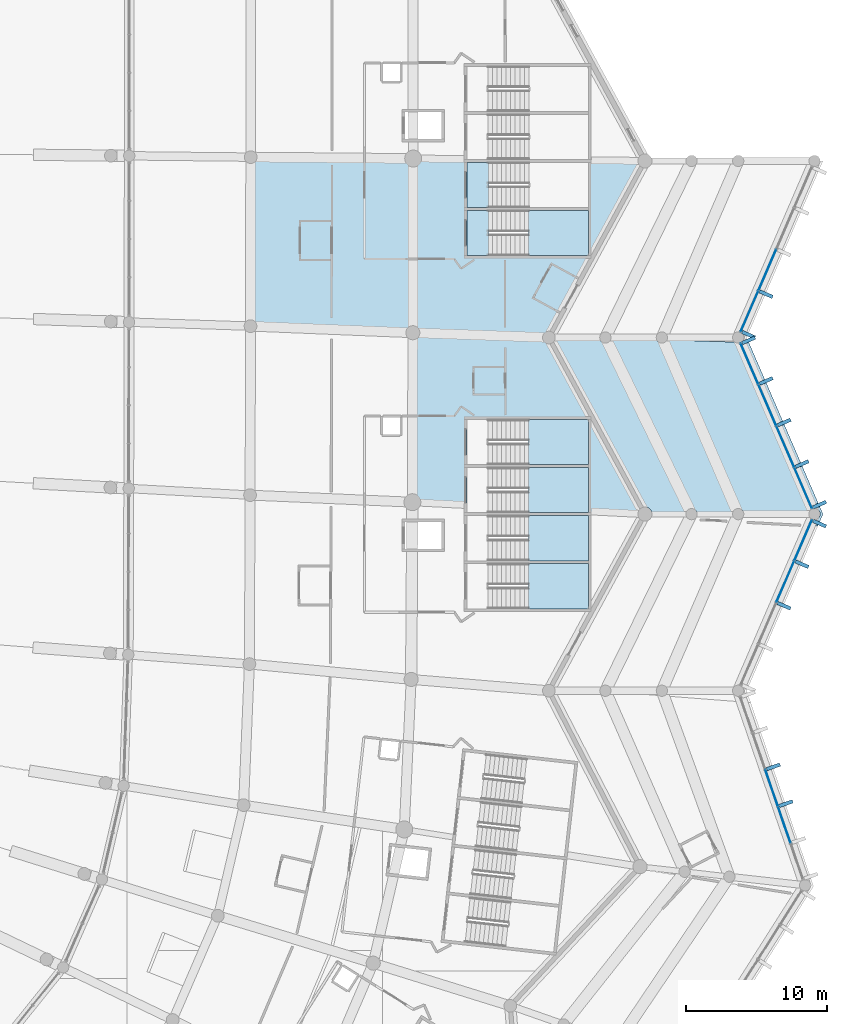
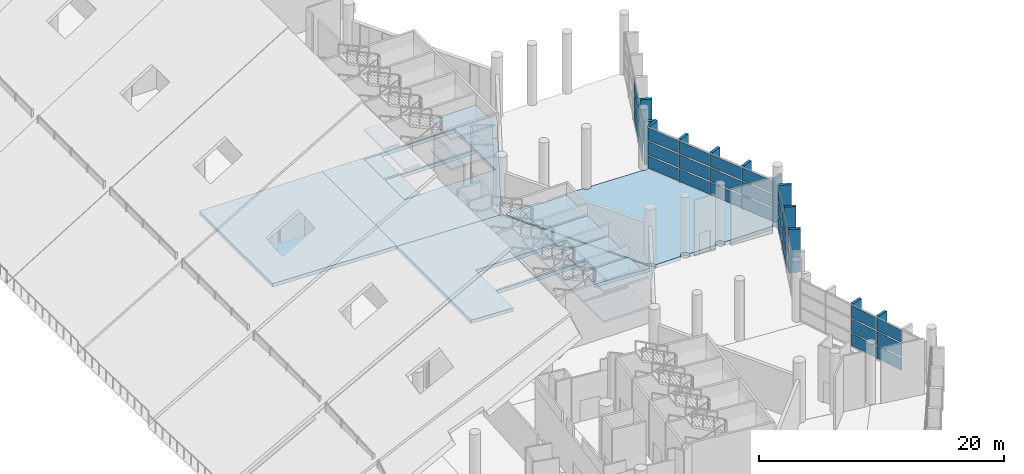
# One storey, part 115 of 249: 42 plates, 18 slabs, 10 elements without a shape of their own.
"""IFC4 building model written with IfcOpenShell, lengths in metres."""

from ifc_helpers import new_model, si_unit, direction, frame, origin, origin_2d, place, context, subcontext, project, spatial, polyline, rectangle, outline, extrude, material, layer, layer_set, type_object, element, aggregate, save


model = new_model("IFC4")

# Units and contexts
model_context = context("Model", 3, precision=1e-05, world=origin(), true_north=direction((0.0, 1.0)))
body_context = subcontext(model_context, "Body", "Model", "MODEL_VIEW")
ifc_project = project(units=[si_unit("LENGTHUNIT", "METRE"), si_unit("AREAUNIT", "SQUARE_METRE"), si_unit("VOLUMEUNIT", "CUBIC_METRE"), si_unit("PLANEANGLEUNIT", "RADIAN"), si_unit("MASSUNIT", "GRAM", prefix="KILO")], contexts=[model_context])

# Site, building, storey
site_placement = place(None, origin())
site = spatial("IfcSite", under=ifc_project, at=site_placement, CompositionType="ELEMENT")
building_placement = place(site_placement, origin())
building = spatial("IfcBuilding", under=site, at=building_placement, Name="Meseta Stadium", CompositionType="ELEMENT")
storey_placement = place(building_placement, frame((0.0, 0.0, 12.0)))
storey = spatial("IfcBuildingStorey", under=building, at=storey_placement, Name="L02", CompositionType="ELEMENT", Elevation=12.0)

# Slabs
ifc_material_1 = material(Name="Concrete C40/50", Category="concrete")
ifc_layer_1 = layer(ifc_material_1, 0.35009765625)
ifc_layer_set_1 = layer_set([ifc_layer_1], Name="Floor slab 350")
slab_type_1 = type_object("IfcSlabType", Name="Floor slab 350", PredefinedType="FLOOR", material=ifc_layer_set_1)
slab_1_placement = place(storey_placement, frame((0.0, 0.0, -0.35009765625)))
element("IfcSlab", 1, at=slab_1_placement, inside=storey, type_object=slab_type_1, Name="Floor slab L02 sector 00 panel 14", PredefinedType="FLOOR", context=body_context, shape_type="SweptSolid", body=[
    extrude(outline(polyline([(84.99755859375, -6.107421875), (73.498046875, -5.981201171875), (73.482421875, -17.943603515625), (84.973388671875, -18.321533203125), (84.99755859375, -6.107421875)])), origin(), (0.0, 0.0, 1.0), 0.35009765625),
])
slab_2_placement = place(storey_placement, frame((0.0, 0.0, -0.35009765625)))
element("IfcSlab", 2, at=slab_2_placement, inside=storey, type_object=slab_type_1, Name="Floor slab L02 sector 00 panel 15", PredefinedType="FLOOR", context=body_context, shape_type="SweptSolid", body=[
    extrude(outline(polyline([(84.97314453125, -18.41064453125), (94.60009765625, -18.75), (101.3798828125, -6.287109375), (88.8798828125, -6.14990234375), (88.800048828125, -6.14990234375), (88.800048828125, -6.149169921875), (84.99755859375, -6.107421875), (84.97314453125, -18.41064453125)]), holes=[polyline([(88.800048828125, -9.75), (97.39990234375, -9.75), (97.39990234375, -12.949951171875), (88.800048828125, -12.949951171875), (88.800048828125, -9.75)]), polyline([(97.39990234375, -6.35009765625), (97.39990234375, -9.550048828125), (88.800048828125, -9.550048828125), (88.800048828125, -6.35009765625), (97.39990234375, -6.35009765625)])]), origin(), (0.0, 0.0, 1.0), 0.35009765625),
])
slab_3_placement = place(storey_placement, frame((0.0, 0.0, -0.35009765625)))
element("IfcSlab", 3, at=slab_3_placement, inside=storey, type_object=slab_type_1, Name="Floor slab L02 sector 00 panel 16", PredefinedType="FLOOR", context=body_context, shape_type="SweptSolid", body=[
    extrude(outline(polyline([(96.176025390625, -31.14990234375), (101.301513671875, -31.430908203125), (101.39990234375, -31.25), (94.60009765625, -18.75), (84.97314453125, -18.41064453125), (84.939697265625, -30.533935546875), (88.800048828125, -30.74560546875), (88.800048828125, -27.949951171875), (97.39990234375, -27.949951171875), (97.39990234375, -31.14990234375), (96.176025390625, -31.14990234375)]), holes=[polyline([(97.39990234375, -27.75), (88.800048828125, -27.75), (88.800048828125, -24.550048828125), (97.39990234375, -24.550048828125), (97.39990234375, -27.75)])]), origin(), (0.0, 0.0, 1.0), 0.35009765625),
])
slab_4_placement = place(storey_placement, frame((0.0, 0.0, -0.35009765625)))
element("IfcSlab", 4, at=slab_4_placement, inside=storey, type_object=slab_type_1, Name="Ring floor slab L02 8 part 2 panel 04", PredefinedType="FLOOR", context=body_context, shape_type="SweptSolid", body=[
    extrude(outline(polyline([(98.210205078125, -18.8544921875), (98.196533203125, -18.75), (95.053955078125, -18.75), (95.038330078125, -18.867431640625), (94.9931640625, -18.976806640625), (94.935302734375, -19.05224609375), (101.30322265625, -30.75830078125), (101.39990234375, -30.74560546875), (101.530517578125, -30.762939453125), (101.652099609375, -30.813232421875), (101.756591796875, -30.893310546875), (101.836669921875, -30.997802734375), (101.88720703125, -31.119384765625), (101.904296875, -31.25), (104.29638671875, -31.25), (104.310302734375, -31.1455078125), (104.3505859375, -31.04833984375), (104.414794921875, -30.964599609375), (104.498291015625, -30.900634765625), (104.595703125, -30.8603515625), (104.699951171875, -30.846435546875), (104.804443359375, -30.8603515625), (104.901611328125, -30.900634765625), (104.9853515625, -30.964599609375), (105.04931640625, -31.04833984375), (105.089599609375, -31.1455078125), (105.103515625, -31.25), (107.596435546875, -31.25), (107.6103515625, -31.1455078125), (107.650634765625, -31.04833984375), (107.714599609375, -30.964599609375), (107.79833984375, -30.900634765625), (107.8955078125, -30.8603515625), (108.0, -30.846435546875), (108.1044921875, -30.8603515625), (108.20166015625, -30.900634765625), (108.285400390625, -30.964599609375), (108.349365234375, -31.04833984375), (108.3896484375, -31.1455078125), (108.403564453125, -31.25), (112.99658203125, -31.25), (113.01025390625, -31.1455078125), (113.050537109375, -31.04833984375), (113.11474609375, -30.964599609375), (113.1982421875, -30.900634765625), (113.295654296875, -30.8603515625), (113.39990234375, -30.846435546875), (113.50439453125, -30.8603515625), (113.601806640625, -30.900634765625), (113.685302734375, -30.964599609375), (113.74951171875, -31.04833984375), (113.789794921875, -31.1455078125), (113.803466796875, -31.25), (113.789794921875, -31.3544921875), (113.74951171875, -31.45166015625), (113.685302734375, -31.535400390625), (113.601806640625, -31.599365234375), (113.50439453125, -31.6396484375), (113.39990234375, -31.653564453125), (113.295654296875, -31.6396484375), (113.241455078125, -31.6171875), (113.043701171875, -32.07470703125), (113.6298828125, -32.10693359375), (114.0, -31.25), (108.752685546875, -19.103759765625), (108.218994140625, -19.086181640625), (108.20166015625, -19.099365234375), (108.1044921875, -19.1396484375), (108.0, -19.153564453125), (107.8955078125, -19.1396484375), (107.79833984375, -19.099365234375), (107.761474609375, -19.071044921875), (102.96533203125, -18.913330078125), (102.949462890625, -18.95166015625), (102.88525390625, -19.035400390625), (102.8017578125, -19.099365234375), (102.704345703125, -19.1396484375), (102.60009765625, -19.153564453125), (102.49560546875, -19.1396484375), (102.398193359375, -19.099365234375), (102.314697265625, -19.035400390625), (102.25048828125, -18.95166015625), (102.224609375, -18.888916015625), (98.999267578125, -18.782958984375), (98.98974609375, -18.8544921875), (98.949462890625, -18.95166015625), (98.88525390625, -19.035400390625), (98.8017578125, -19.099365234375), (98.704345703125, -19.1396484375), (98.60009765625, -19.153564453125), (98.49560546875, -19.1396484375), (98.398193359375, -19.099365234375), (98.314697265625, -19.035400390625), (98.25048828125, -18.95166015625), (98.210205078125, -18.8544921875)])), origin(), (0.0, 0.0, 1.0), 0.35009765625),
])

# Curtain wall, plates
ifc_material_2 = material(Name="Aluminium", Category="aluminium")
ifc_layer_2 = layer(ifc_material_2, 0.199951171875)
ifc_layer_set_2 = layer_set([ifc_layer_2], Name="Ring shopfront curtain wall")
curtain_wall_type = type_object("IfcCurtainWallType", Name="Ring shopfront curtain wall", PredefinedType="NOTDEFINED", material=ifc_layer_set_2)
curtain_wall_1_placement = place(storey_placement, origin())
curtain_wall_1 = element("IfcCurtainWall", 5, at=curtain_wall_1_placement, inside=storey, type_object=curtain_wall_type, Name="Ring glazing L02 F00", PredefinedType="NOTDEFINED")
ifc_material_3 = material(Name="Glass", Category="glass")
ifc_layer_3 = layer(ifc_material_3, 0.035888671875)
ifc_layer_set_3 = layer_set([ifc_layer_3], Name="Ring CW glass panel 36")
plate_type_1 = type_object("IfcPlateType", Name="Ring CW glass panel 36", PredefinedType="CURTAIN_PANEL", material=ifc_layer_set_3)
plate_1_placement = place(storey_placement, frame((111.264892578125, -53.237548828125, 0.14990234375), z_axis=(0.0, 0.0, 1.0), x_axis=(-0.325385990532, 0.945581280042, 0.0)))
plate_1 = element("IfcPlate", 6, at=plate_1_placement, type_object=plate_type_1, Name="CWR1 panel 2.1", PredefinedType="CURTAIN_PANEL", context=body_context, shape_type="SweptSolid", body=[
    extrude(rectangle(XDim=2.6923828125, YDim=0.035888671875, at=origin_2d()), origin(), (0.0, 0.0, 1.0), 1.208251953125),
])
plate_2_placement = place(storey_placement, frame((111.264892578125, -53.237548828125, 1.50830078125), z_axis=(0.0, 0.0, 1.0), x_axis=(-0.325385990532, 0.945581280042, 0.0)))
plate_2 = element("IfcPlate", 7, at=plate_2_placement, type_object=plate_type_1, Name="CWR1 panel 2.2", PredefinedType="CURTAIN_PANEL", context=body_context, shape_type="SweptSolid", body=[
    extrude(rectangle(XDim=2.6923828125, YDim=0.035888671875, at=origin_2d()), origin(), (0.0, 0.0, 1.0), 1.283447265625),
])
plate_3_placement = place(storey_placement, frame((111.264892578125, -53.237548828125, 2.94189453125), z_axis=(0.0, 0.0, 1.0), x_axis=(-0.325385990532, 0.945581280042, 0.0)))
plate_3 = element("IfcPlate", 8, at=plate_3_placement, type_object=plate_type_1, Name="CWR1 panel 2.3", PredefinedType="CURTAIN_PANEL", context=body_context, shape_type="SweptSolid", body=[
    extrude(rectangle(XDim=2.6923828125, YDim=0.035888671875, at=origin_2d()), origin(), (0.0, 0.0, 1.0), 1.208251953125),
])
plate_4_placement = place(storey_placement, frame((110.369140625, -50.634765625, 0.14990234375), z_axis=(0.0, 0.0, 1.0), x_axis=(-0.325385990532, 0.945581280042, 0.0)))
plate_4 = element("IfcPlate", 9, at=plate_4_placement, type_object=plate_type_1, Name="CWR1 panel 3.1", PredefinedType="CURTAIN_PANEL", context=body_context, shape_type="SweptSolid", body=[
    extrude(rectangle(XDim=2.6923828125, YDim=0.035888671875, at=origin_2d()), origin(), (0.0, 0.0, 1.0), 1.208251953125),
])
plate_5_placement = place(storey_placement, frame((110.369140625, -50.634765625, 1.50830078125), z_axis=(0.0, 0.0, 1.0), x_axis=(-0.325385990532, 0.945581280042, 0.0)))
plate_5 = element("IfcPlate", 10, at=plate_5_placement, type_object=plate_type_1, Name="CWR1 panel 3.2", PredefinedType="CURTAIN_PANEL", context=body_context, shape_type="SweptSolid", body=[
    extrude(rectangle(XDim=2.6923828125, YDim=0.035888671875, at=origin_2d()), origin(), (0.0, 0.0, 1.0), 1.283447265625),
])
plate_6_placement = place(storey_placement, frame((110.369140625, -50.634765625, 2.94189453125), z_axis=(0.0, 0.0, 1.0), x_axis=(-0.325385990532, 0.945581280042, 0.0)))
plate_6 = element("IfcPlate", 11, at=plate_6_placement, type_object=plate_type_1, Name="CWR1 panel 3.3", PredefinedType="CURTAIN_PANEL", context=body_context, shape_type="SweptSolid", body=[
    extrude(rectangle(XDim=2.6923828125, YDim=0.035888671875, at=origin_2d()), origin(), (0.0, 0.0, 1.0), 1.208251953125),
])
aggregate(curtain_wall_1, [plate_1, plate_2, plate_3, plate_4, plate_5, plate_6])

curtain_wall_2_placement = place(storey_placement, origin())
curtain_wall_2 = element("IfcCurtainWall", 12, at=curtain_wall_2_placement, inside=storey, type_object=curtain_wall_type, Name="Ring glazing L02 F01", PredefinedType="NOTDEFINED")
plate_7_placement = place(storey_placement, frame((111.33544921875, -36.029296875, 0.14990234375), z_axis=(0.0, 0.0, 1.0), x_axis=(0.396580687073, 0.91799986854, 0.0)))
plate_7 = element("IfcPlate", 13, at=plate_7_placement, type_object=plate_type_1, Name="CWR1 panel 3.1", PredefinedType="CURTAIN_PANEL", context=body_context, shape_type="SweptSolid", body=[
    extrude(rectangle(XDim=3.14404296875, YDim=0.035888671875, at=origin_2d()), origin(), (0.0, 0.0, 1.0), 1.208251953125),
])
plate_8_placement = place(storey_placement, frame((111.33544921875, -36.029296875, 1.50830078125), z_axis=(0.0, 0.0, 1.0), x_axis=(0.396580687073, 0.91799986854, 0.0)))
plate_8 = element("IfcPlate", 14, at=plate_8_placement, type_object=plate_type_1, Name="CWR1 panel 3.2", PredefinedType="CURTAIN_PANEL", context=body_context, shape_type="SweptSolid", body=[
    extrude(rectangle(XDim=3.14404296875, YDim=0.035888671875, at=origin_2d()), origin(), (0.0, 0.0, 1.0), 1.283447265625),
])
plate_9_placement = place(storey_placement, frame((111.33544921875, -36.029296875, 2.94189453125), z_axis=(0.0, 0.0, 1.0), x_axis=(0.396580687073, 0.91799986854, 0.0)))
plate_9 = element("IfcPlate", 15, at=plate_9_placement, type_object=plate_type_1, Name="CWR1 panel 3.3", PredefinedType="CURTAIN_PANEL", context=body_context, shape_type="SweptSolid", body=[
    extrude(rectangle(XDim=3.14404296875, YDim=0.035888671875, at=origin_2d()), origin(), (0.0, 0.0, 1.0), 1.208251953125),
])
plate_10_placement = place(storey_placement, frame((112.60009765625, -33.1015625, 0.14990234375), z_axis=(0.0, 0.0, 1.0), x_axis=(0.396580687073, 0.91799986854, 0.0)))
plate_10 = element("IfcPlate", 16, at=plate_10_placement, type_object=plate_type_1, Name="CWR1 panel 4.1", PredefinedType="CURTAIN_PANEL", context=body_context, shape_type="SweptSolid", body=[
    extrude(rectangle(XDim=3.1142578125, YDim=0.035888671875, at=origin_2d()), origin(), (0.0, 0.0, 1.0), 1.208251953125),
])
plate_11_placement = place(storey_placement, frame((112.60009765625, -33.1015625, 1.50830078125), z_axis=(0.0, 0.0, 1.0), x_axis=(0.396580687073, 0.91799986854, 0.0)))
plate_11 = element("IfcPlate", 17, at=plate_11_placement, type_object=plate_type_1, Name="CWR1 panel 4.2", PredefinedType="CURTAIN_PANEL", context=body_context, shape_type="SweptSolid", body=[
    extrude(rectangle(XDim=3.1142578125, YDim=0.035888671875, at=origin_2d()), origin(), (0.0, 0.0, 1.0), 1.283447265625),
])
plate_12_placement = place(storey_placement, frame((112.60009765625, -33.1015625, 2.94189453125), z_axis=(0.0, 0.0, 1.0), x_axis=(0.396580687073, 0.91799986854, 0.0)))
plate_12 = element("IfcPlate", 18, at=plate_12_placement, type_object=plate_type_1, Name="CWR1 panel 4.3", PredefinedType="CURTAIN_PANEL", context=body_context, shape_type="SweptSolid", body=[
    extrude(rectangle(XDim=3.1142578125, YDim=0.035888671875, at=origin_2d()), origin(), (0.0, 0.0, 1.0), 1.208251953125),
])
aggregate(curtain_wall_2, [plate_7, plate_8, plate_9, plate_10, plate_11, plate_12])

curtain_wall_3_placement = place(storey_placement, origin())
curtain_wall_3 = element("IfcCurtainWall", 19, at=curtain_wall_3_placement, inside=storey, type_object=curtain_wall_type, Name="Ring glazing L02 F02", PredefinedType="NOTDEFINED")
plate_13_placement = place(storey_placement, frame((112.60009765625, -29.3984375, 0.14990234375), z_axis=(0.0, 0.0, 1.0), x_axis=(-0.396580687073, 0.91799986854, 0.0)))
plate_13 = element("IfcPlate", 20, at=plate_13_placement, type_object=plate_type_1, Name="CWR1 panel 1.1", PredefinedType="CURTAIN_PANEL", context=body_context, shape_type="SweptSolid", body=[
    extrude(rectangle(XDim=3.1142578125, YDim=0.035888671875, at=origin_2d()), origin(), (0.0, 0.0, 1.0), 1.208251953125),
])
plate_14_placement = place(storey_placement, frame((112.60009765625, -29.3984375, 1.50830078125), z_axis=(0.0, 0.0, 1.0), x_axis=(-0.396580687073, 0.91799986854, 0.0)))
plate_14 = element("IfcPlate", 21, at=plate_14_placement, type_object=plate_type_1, Name="CWR1 panel 1.2", PredefinedType="CURTAIN_PANEL", context=body_context, shape_type="SweptSolid", body=[
    extrude(rectangle(XDim=3.1142578125, YDim=0.035888671875, at=origin_2d()), origin(), (0.0, 0.0, 1.0), 1.283447265625),
])
plate_15_placement = place(storey_placement, frame((112.60009765625, -29.3984375, 2.94189453125), z_axis=(0.0, 0.0, 1.0), x_axis=(-0.396580687073, 0.91799986854, 0.0)))
plate_15 = element("IfcPlate", 22, at=plate_15_placement, type_object=plate_type_1, Name="CWR1 panel 1.3", PredefinedType="CURTAIN_PANEL", context=body_context, shape_type="SweptSolid", body=[
    extrude(rectangle(XDim=3.1142578125, YDim=0.035888671875, at=origin_2d()), origin(), (0.0, 0.0, 1.0), 1.208251953125),
])
plate_16_placement = place(storey_placement, frame((111.33544921875, -26.470703125, 0.14990234375), z_axis=(0.0, 0.0, 1.0), x_axis=(-0.396580687073, 0.91799986854, 0.0)))
plate_16 = element("IfcPlate", 23, at=plate_16_placement, type_object=plate_type_1, Name="CWR1 panel 2.1", PredefinedType="CURTAIN_PANEL", context=body_context, shape_type="SweptSolid", body=[
    extrude(rectangle(XDim=3.14404296875, YDim=0.035888671875, at=origin_2d()), origin(), (0.0, 0.0, 1.0), 1.208251953125),
])
plate_17_placement = place(storey_placement, frame((111.33544921875, -26.470703125, 1.50830078125), z_axis=(0.0, 0.0, 1.0), x_axis=(-0.396580687073, 0.91799986854, 0.0)))
plate_17 = element("IfcPlate", 24, at=plate_17_placement, type_object=plate_type_1, Name="CWR1 panel 2.2", PredefinedType="CURTAIN_PANEL", context=body_context, shape_type="SweptSolid", body=[
    extrude(rectangle(XDim=3.14404296875, YDim=0.035888671875, at=origin_2d()), origin(), (0.0, 0.0, 1.0), 1.283447265625),
])
plate_18_placement = place(storey_placement, frame((111.33544921875, -26.470703125, 2.94189453125), z_axis=(0.0, 0.0, 1.0), x_axis=(-0.396580687073, 0.91799986854, 0.0)))
plate_18 = element("IfcPlate", 25, at=plate_18_placement, type_object=plate_type_1, Name="CWR1 panel 2.3", PredefinedType="CURTAIN_PANEL", context=body_context, shape_type="SweptSolid", body=[
    extrude(rectangle(XDim=3.14404296875, YDim=0.035888671875, at=origin_2d()), origin(), (0.0, 0.0, 1.0), 1.208251953125),
])
plate_19_placement = place(storey_placement, frame((110.064697265625, -23.529296875, 0.14990234375), z_axis=(0.0, 0.0, 1.0), x_axis=(-0.396580687073, 0.91799986854, 0.0)))
plate_19 = element("IfcPlate", 26, at=plate_19_placement, type_object=plate_type_1, Name="CWR1 panel 3.1", PredefinedType="CURTAIN_PANEL", context=body_context, shape_type="SweptSolid", body=[
    extrude(rectangle(XDim=3.14404296875, YDim=0.035888671875, at=origin_2d()), origin(), (0.0, 0.0, 1.0), 1.208251953125),
])
plate_20_placement = place(storey_placement, frame((110.064697265625, -23.529296875, 1.50830078125), z_axis=(0.0, 0.0, 1.0), x_axis=(-0.396580687073, 0.91799986854, 0.0)))
plate_20 = element("IfcPlate", 27, at=plate_20_placement, type_object=plate_type_1, Name="CWR1 panel 3.2", PredefinedType="CURTAIN_PANEL", context=body_context, shape_type="SweptSolid", body=[
    extrude(rectangle(XDim=3.14404296875, YDim=0.035888671875, at=origin_2d()), origin(), (0.0, 0.0, 1.0), 1.283447265625),
])
plate_21_placement = place(storey_placement, frame((110.064697265625, -23.529296875, 2.94189453125), z_axis=(0.0, 0.0, 1.0), x_axis=(-0.396580687073, 0.91799986854, 0.0)))
plate_21 = element("IfcPlate", 28, at=plate_21_placement, type_object=plate_type_1, Name="CWR1 panel 3.3", PredefinedType="CURTAIN_PANEL", context=body_context, shape_type="SweptSolid", body=[
    extrude(rectangle(XDim=3.14404296875, YDim=0.035888671875, at=origin_2d()), origin(), (0.0, 0.0, 1.0), 1.208251953125),
])
plate_22_placement = place(storey_placement, frame((108.7998046875, -20.6015625, 0.14990234375), z_axis=(0.0, 0.0, 1.0), x_axis=(-0.396580687073, 0.91799986854, 0.0)))
plate_22 = element("IfcPlate", 29, at=plate_22_placement, type_object=plate_type_1, Name="CWR1 panel 4.1", PredefinedType="CURTAIN_PANEL", context=body_context, shape_type="SweptSolid", body=[
    extrude(rectangle(XDim=3.1142578125, YDim=0.035888671875, at=origin_2d()), origin(), (0.0, 0.0, 1.0), 1.208251953125),
])
plate_23_placement = place(storey_placement, frame((108.7998046875, -20.6015625, 1.50830078125), z_axis=(0.0, 0.0, 1.0), x_axis=(-0.396580687073, 0.91799986854, 0.0)))
plate_23 = element("IfcPlate", 30, at=plate_23_placement, type_object=plate_type_1, Name="CWR1 panel 4.2", PredefinedType="CURTAIN_PANEL", context=body_context, shape_type="SweptSolid", body=[
    extrude(rectangle(XDim=3.1142578125, YDim=0.035888671875, at=origin_2d()), origin(), (0.0, 0.0, 1.0), 1.283447265625),
])
plate_24_placement = place(storey_placement, frame((108.7998046875, -20.6015625, 2.94189453125), z_axis=(0.0, 0.0, 1.0), x_axis=(-0.396580687073, 0.91799986854, 0.0)))
plate_24 = element("IfcPlate", 31, at=plate_24_placement, type_object=plate_type_1, Name="CWR1 panel 4.3", PredefinedType="CURTAIN_PANEL", context=body_context, shape_type="SweptSolid", body=[
    extrude(rectangle(XDim=3.1142578125, YDim=0.035888671875, at=origin_2d()), origin(), (0.0, 0.0, 1.0), 1.208251953125),
])
aggregate(curtain_wall_3, [plate_13, plate_14, plate_15, plate_16, plate_17, plate_18, plate_19, plate_20, plate_21, plate_22, plate_23, plate_24])

curtain_wall_4_placement = place(storey_placement, origin())
curtain_wall_4 = element("IfcCurtainWall", 32, at=curtain_wall_4_placement, inside=storey, type_object=curtain_wall_type, Name="Ring glazing L02 F03", PredefinedType="NOTDEFINED")
plate_25_placement = place(storey_placement, frame((108.7998046875, -16.8984375, 0.14990234375), z_axis=(0.0, 0.0, 1.0), x_axis=(0.396580687073, 0.91799986854, 0.0)))
plate_25 = element("IfcPlate", 33, at=plate_25_placement, type_object=plate_type_1, Name="CWR1 panel 1.1", PredefinedType="CURTAIN_PANEL", context=body_context, shape_type="SweptSolid", body=[
    extrude(rectangle(XDim=3.1142578125, YDim=0.035888671875, at=origin_2d()), origin(), (0.0, 0.0, 1.0), 1.208251953125),
])
plate_26_placement = place(storey_placement, frame((108.7998046875, -16.8984375, 1.50830078125), z_axis=(0.0, 0.0, 1.0), x_axis=(0.396580687073, 0.91799986854, 0.0)))
plate_26 = element("IfcPlate", 34, at=plate_26_placement, type_object=plate_type_1, Name="CWR1 panel 1.2", PredefinedType="CURTAIN_PANEL", context=body_context, shape_type="SweptSolid", body=[
    extrude(rectangle(XDim=3.1142578125, YDim=0.035888671875, at=origin_2d()), origin(), (0.0, 0.0, 1.0), 1.283447265625),
])
plate_27_placement = place(storey_placement, frame((108.7998046875, -16.8984375, 2.94189453125), z_axis=(0.0, 0.0, 1.0), x_axis=(0.396580687073, 0.91799986854, 0.0)))
plate_27 = element("IfcPlate", 35, at=plate_27_placement, type_object=plate_type_1, Name="CWR1 panel 1.3", PredefinedType="CURTAIN_PANEL", context=body_context, shape_type="SweptSolid", body=[
    extrude(rectangle(XDim=3.1142578125, YDim=0.035888671875, at=origin_2d()), origin(), (0.0, 0.0, 1.0), 1.208251953125),
])
plate_28_placement = place(storey_placement, frame((110.064697265625, -13.970703125, 0.14990234375), z_axis=(0.0, 0.0, 1.0), x_axis=(0.396580687073, 0.91799986854, 0.0)))
plate_28 = element("IfcPlate", 36, at=plate_28_placement, type_object=plate_type_1, Name="CWR1 panel 2.1", PredefinedType="CURTAIN_PANEL", context=body_context, shape_type="SweptSolid", body=[
    extrude(rectangle(XDim=3.14404296875, YDim=0.035888671875, at=origin_2d()), origin(), (0.0, 0.0, 1.0), 1.208251953125),
])
plate_29_placement = place(storey_placement, frame((110.064697265625, -13.970703125, 1.50830078125), z_axis=(0.0, 0.0, 1.0), x_axis=(0.396580687073, 0.91799986854, 0.0)))
plate_29 = element("IfcPlate", 37, at=plate_29_placement, type_object=plate_type_1, Name="CWR1 panel 2.2", PredefinedType="CURTAIN_PANEL", context=body_context, shape_type="SweptSolid", body=[
    extrude(rectangle(XDim=3.14404296875, YDim=0.035888671875, at=origin_2d()), origin(), (0.0, 0.0, 1.0), 1.283447265625),
])
plate_30_placement = place(storey_placement, frame((110.064697265625, -13.970703125, 2.94189453125), z_axis=(0.0, 0.0, 1.0), x_axis=(0.396580687073, 0.91799986854, 0.0)))
plate_30 = element("IfcPlate", 38, at=plate_30_placement, type_object=plate_type_1, Name="CWR1 panel 2.3", PredefinedType="CURTAIN_PANEL", context=body_context, shape_type="SweptSolid", body=[
    extrude(rectangle(XDim=3.14404296875, YDim=0.035888671875, at=origin_2d()), origin(), (0.0, 0.0, 1.0), 1.208251953125),
])
aggregate(curtain_wall_4, [plate_25, plate_26, plate_27, plate_28, plate_29, plate_30])

# Plates
ifc_material_4 = material(Name="Precast concrete C40/50", Category="concrete")
ifc_layer_4 = layer(ifc_material_4, 0.25)
ifc_layer_set_4 = layer_set([ifc_layer_4], Name="Ring brise-soleil fin 250x1000")
plate_type_2 = type_object("IfcPlateType", Name="Ring brise-soleil fin 250x1000", PredefinedType="USERDEFINED", material=ifc_layer_set_4)
for number, where, z_axis, x_axis, name in (
    (39, (111.384521484375, -51.740966796875, 0.0), (0.0, 0.0, 1.0), (-0.325393223316, 0.945578791122, 0.0), "Brise-soleil fin L02 F00.3"),
    (40, (110.48876953125, -49.13818359375, 0.0), (0.0, 0.0, 1.0), (-0.325393223316, 0.945578791122, 0.0), "Brise-soleil fin L02 F00.4"),
    (41, (111.250732421875, -37.73779296875, 0.0), (0.0, 0.0, 1.0), (0.396575976693, 0.918001903435, 0.0), "Brise-soleil fin L02 F01.3"),
    (42, (112.521484375, -34.79638671875, 0.0), (0.0, 0.0, 1.0), (0.396575976693, 0.918001903435, 0.0), "Brise-soleil fin L02 F01.4"),
    (43, (113.762451171875, -31.924072265625, 0.0), (0.0, 0.0, 1.0), (0.396575976693, 0.918001903435, 0.0), "Brise-soleil fin L02 F01.5"),
    (44, (113.762451171875, -30.575927734375, 0.0), (0.0, 0.0, 1.0), (-0.396575976693, 0.918001903435, 0.0), "Brise-soleil fin L02 F02.1"),
    (45, (112.521484375, -27.70361328125, 0.0), (0.0, 0.0, 1.0), (-0.396575976693, 0.918001903435, 0.0), "Brise-soleil fin L02 F02.2"),
    (46, (111.250732421875, -24.76220703125, 0.0), (0.0, 0.0, 1.0), (-0.396575976693, 0.918001903435, 0.0), "Brise-soleil fin L02 F02.3"),
    (47, (109.97998046875, -21.82080078125, 0.0), (0.0, 0.0, 1.0), (-0.396575976693, 0.918001903435, 0.0), "Brise-soleil fin L02 F02.4"),
    (48, (108.7392578125, -18.947998046875, 0.0), (0.0, 0.0, 1.0), (-0.396575976693, 0.918001903435, 0.0), "Brise-soleil fin L02 F02.5"),
    (49, (108.7392578125, -18.552001953125, 0.0), (0.0, 0.0, 1.0), (0.396575976693, 0.918001903435, 0.0), "Brise-soleil fin L02 F03.1"),
    (50, (109.97998046875, -15.67919921875, 0.0), (0.0, 0.0, 1.0), (0.396575976693, 0.918001903435, 0.0), "Brise-soleil fin L02 F03.2"),
):
    element("IfcPlate", number, at=place(storey_placement, frame(where, z_axis=z_axis, x_axis=x_axis)), inside=storey, type_object=plate_type_2, Name=name, ObjectType="FIN", PredefinedType="USERDEFINED", context=body_context, shape_type="SweptSolid", body=[
        extrude(rectangle(XDim=0.25, YDim=1.0, at=origin_2d()), origin(), (0.0, 0.0, 1.0), 4.300048828125),
    ])

# Stair, slabs
ifc_material_5 = material(Name="Concrete C40/50", Category="concrete")
stair_type = type_object("IfcStairType", Name="Exit stair 4 flights 150 mm risers", PredefinedType="HALF_TURN_STAIR", material=ifc_material_5)
stair_1_placement = place(storey_placement, origin())
stair_1 = element("IfcStair", 51, at=stair_1_placement, inside=storey, type_object=stair_type, Name="ST5 L02", PredefinedType="HALF_TURN_STAIR")
ifc_material_6 = material(Name="Concrete C40/50", Category="concrete")
ifc_layer_5 = layer(ifc_material_6, 0.199951171875)
ifc_layer_set_5 = layer_set([ifc_layer_5], Name="Stair landing 200")
slab_type_2 = type_object("IfcSlabType", Name="Stair landing 200", PredefinedType="LANDING", material=ifc_layer_set_5)
slab_5_placement = place(storey_placement, frame((0.0, 0.0, 1.300048828125)))
slab_5 = element("IfcSlab", 52, at=slab_5_placement, type_object=slab_type_2, Name="ST5 L02 landing 1", PredefinedType="LANDING", context=body_context, shape_type="SweptSolid", body=[
    extrude(outline(polyline([(93.169921875, -37.949951171875), (97.39990234375, -37.949951171875), (97.39990234375, -34.75), (93.169921875, -34.75), (93.169921875, -37.949951171875)])), origin(), (0.0, 0.0, 1.0), 0.199951171875),
])
slab_6_placement = place(storey_placement, frame((0.0, 0.0, 4.300048828125)))
slab_6 = element("IfcSlab", 53, at=slab_6_placement, type_object=slab_type_2, Name="ST5 L02 landing 3", PredefinedType="LANDING", context=body_context, shape_type="SweptSolid", body=[
    extrude(outline(polyline([(93.169921875, -37.949951171875), (97.39990234375, -37.949951171875), (97.39990234375, -34.75), (93.169921875, -34.75), (93.169921875, -37.949951171875)])), origin(), (0.0, 0.0, 1.0), 0.199951171875),
])
aggregate(stair_1, [slab_5, slab_6])

stair_2_placement = place(storey_placement, origin())
stair_2 = element("IfcStair", 54, at=stair_2_placement, inside=storey, type_object=stair_type, Name="ST6 L02", PredefinedType="HALF_TURN_STAIR")
slab_7_placement = place(storey_placement, frame((0.0, 0.0, 1.300048828125)))
slab_7 = element("IfcSlab", 55, at=slab_7_placement, type_object=slab_type_2, Name="ST6 L02 landing 1", PredefinedType="LANDING", context=body_context, shape_type="SweptSolid", body=[
    extrude(outline(polyline([(93.169921875, -34.550048828125), (97.39990234375, -34.550048828125), (97.39990234375, -31.35009765625), (93.169921875, -31.35009765625), (93.169921875, -34.550048828125)])), origin(), (0.0, 0.0, 1.0), 0.199951171875),
])
slab_8_placement = place(storey_placement, frame((0.0, 0.0, 4.300048828125)))
slab_8 = element("IfcSlab", 56, at=slab_8_placement, type_object=slab_type_2, Name="ST6 L02 landing 3", PredefinedType="LANDING", context=body_context, shape_type="SweptSolid", body=[
    extrude(outline(polyline([(93.169921875, -34.550048828125), (97.39990234375, -34.550048828125), (97.39990234375, -31.35009765625), (93.169921875, -31.35009765625), (93.169921875, -34.550048828125)])), origin(), (0.0, 0.0, 1.0), 0.199951171875),
])
aggregate(stair_2, [slab_7, slab_8])

stair_3_placement = place(storey_placement, origin())
stair_3 = element("IfcStair", 57, at=stair_3_placement, inside=storey, type_object=stair_type, Name="ST7 L02", PredefinedType="HALF_TURN_STAIR")
slab_9_placement = place(storey_placement, frame((0.0, 0.0, 1.300048828125)))
slab_9 = element("IfcSlab", 58, at=slab_9_placement, type_object=slab_type_2, Name="ST7 L02 landing 1", PredefinedType="LANDING", context=body_context, shape_type="SweptSolid", body=[
    extrude(outline(polyline([(93.169921875, -31.14990234375), (97.39990234375, -31.14990234375), (97.39990234375, -27.949951171875), (93.169921875, -27.949951171875), (93.169921875, -31.14990234375)])), origin(), (0.0, 0.0, 1.0), 0.199951171875),
])
slab_10_placement = place(storey_placement, frame((0.0, 0.0, 4.300048828125)))
slab_10 = element("IfcSlab", 59, at=slab_10_placement, type_object=slab_type_2, Name="ST7 L02 landing 3", PredefinedType="LANDING", context=body_context, shape_type="SweptSolid", body=[
    extrude(outline(polyline([(93.169921875, -31.14990234375), (97.39990234375, -31.14990234375), (97.39990234375, -27.949951171875), (93.169921875, -27.949951171875), (93.169921875, -31.14990234375)])), origin(), (0.0, 0.0, 1.0), 0.199951171875),
])
aggregate(stair_3, [slab_9, slab_10])

stair_4_placement = place(storey_placement, origin())
stair_4 = element("IfcStair", 60, at=stair_4_placement, inside=storey, type_object=stair_type, Name="ST8 L02", PredefinedType="HALF_TURN_STAIR")
slab_11_placement = place(storey_placement, frame((0.0, 0.0, 1.300048828125)))
slab_11 = element("IfcSlab", 61, at=slab_11_placement, type_object=slab_type_2, Name="ST8 L02 landing 1", PredefinedType="LANDING", context=body_context, shape_type="SweptSolid", body=[
    extrude(outline(polyline([(93.169921875, -27.75), (97.39990234375, -27.75), (97.39990234375, -24.550048828125), (93.169921875, -24.550048828125), (93.169921875, -27.75)])), origin(), (0.0, 0.0, 1.0), 0.199951171875),
])
slab_12_placement = place(storey_placement, frame((0.0, 0.0, 4.300048828125)))
slab_12 = element("IfcSlab", 62, at=slab_12_placement, type_object=slab_type_2, Name="ST8 L02 landing 3", PredefinedType="LANDING", context=body_context, shape_type="SweptSolid", body=[
    extrude(outline(polyline([(93.169921875, -27.75), (97.39990234375, -27.75), (97.39990234375, -24.550048828125), (93.169921875, -24.550048828125), (93.169921875, -27.75)])), origin(), (0.0, 0.0, 1.0), 0.199951171875),
])
aggregate(stair_4, [slab_11, slab_12])

stair_5_placement = place(storey_placement, origin())
stair_5 = element("IfcStair", 63, at=stair_5_placement, inside=storey, type_object=stair_type, Name="ST9 L02", PredefinedType="HALF_TURN_STAIR")
slab_13_placement = place(storey_placement, frame((0.0, 0.0, 1.300048828125)))
slab_13 = element("IfcSlab", 64, at=slab_13_placement, type_object=slab_type_2, Name="ST9 L02 landing 1", PredefinedType="LANDING", context=body_context, shape_type="SweptSolid", body=[
    extrude(outline(polyline([(93.169921875, -12.949951171875), (97.39990234375, -12.949951171875), (97.39990234375, -9.75), (93.169921875, -9.75), (93.169921875, -12.949951171875)])), origin(), (0.0, 0.0, 1.0), 0.199951171875),
])
slab_14_placement = place(storey_placement, frame((0.0, 0.0, 2.800048828125)))
slab_14 = element("IfcSlab", 65, at=slab_14_placement, type_object=slab_type_2, Name="ST9 L02 landing 2", PredefinedType="LANDING", context=body_context, shape_type="SweptSolid", body=[
    extrude(outline(polyline([(88.800048828125, -12.949951171875), (90.31005859375, -12.949951171875), (90.31005859375, -9.75), (88.800048828125, -9.75), (88.800048828125, -12.949951171875)])), origin(), (0.0, 0.0, 1.0), 0.199951171875),
])
slab_15_placement = place(storey_placement, frame((0.0, 0.0, 4.300048828125)))
slab_15 = element("IfcSlab", 66, at=slab_15_placement, type_object=slab_type_2, Name="ST9 L02 landing 3", PredefinedType="LANDING", context=body_context, shape_type="SweptSolid", body=[
    extrude(outline(polyline([(93.169921875, -12.949951171875), (97.39990234375, -12.949951171875), (97.39990234375, -9.75), (93.169921875, -9.75), (93.169921875, -12.949951171875)])), origin(), (0.0, 0.0, 1.0), 0.199951171875),
])
slab_16_placement = place(storey_placement, frame((0.0, 0.0, -0.199951171875)))
slab_16 = element("IfcSlab", 67, at=slab_16_placement, type_object=slab_type_2, Name="ST9 L02 landing 4", PredefinedType="LANDING", context=body_context, shape_type="SweptSolid", body=[
    extrude(outline(polyline([(88.800048828125, -12.949951171875), (90.31005859375, -12.949951171875), (90.31005859375, -9.75), (88.800048828125, -9.75), (88.800048828125, -12.949951171875)])), origin(), (0.0, 0.0, 1.0), 0.199951171875),
])
aggregate(stair_5, [slab_13, slab_14, slab_15, slab_16])

stair_6_placement = place(storey_placement, origin())
stair_6 = element("IfcStair", 68, at=stair_6_placement, inside=storey, type_object=stair_type, Name="ST10 L02", PredefinedType="HALF_TURN_STAIR")
slab_17_placement = place(storey_placement, frame((0.0, 0.0, 2.800048828125)))
slab_17 = element("IfcSlab", 69, at=slab_17_placement, type_object=slab_type_2, Name="ST10 L02 landing 2", PredefinedType="LANDING", context=body_context, shape_type="SweptSolid", body=[
    extrude(outline(polyline([(88.800048828125, -9.550048828125), (90.31005859375, -9.550048828125), (90.31005859375, -6.35009765625), (88.800048828125, -6.35009765625), (88.800048828125, -9.550048828125)])), origin(), (0.0, 0.0, 1.0), 0.199951171875),
])
slab_18_placement = place(storey_placement, frame((0.0, 0.0, -0.199951171875)))
slab_18 = element("IfcSlab", 70, at=slab_18_placement, type_object=slab_type_2, Name="ST10 L02 landing 4", PredefinedType="LANDING", context=body_context, shape_type="SweptSolid", body=[
    extrude(outline(polyline([(88.800048828125, -9.550048828125), (90.31005859375, -9.550048828125), (90.31005859375, -6.35009765625), (88.800048828125, -6.35009765625), (88.800048828125, -9.550048828125)])), origin(), (0.0, 0.0, 1.0), 0.199951171875),
])
aggregate(stair_6, [slab_17, slab_18])

save(model, "model.ifc")
